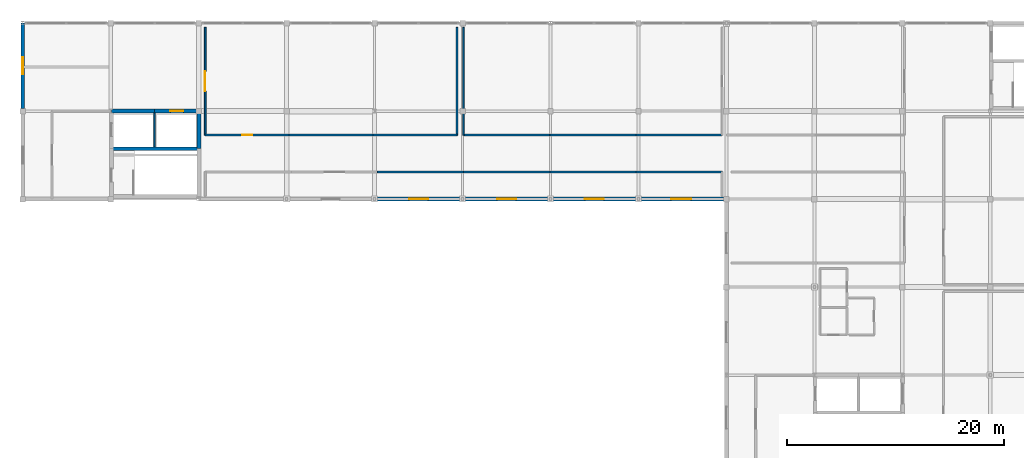
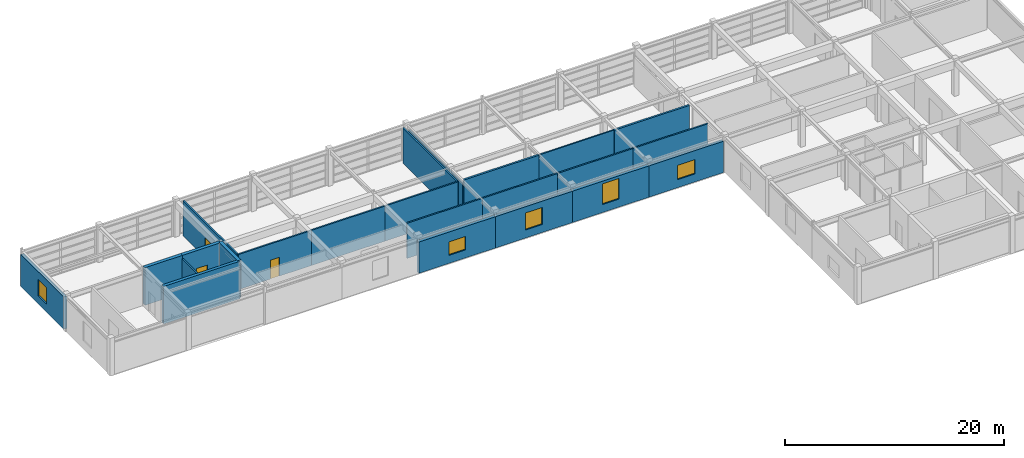
# One storey, part 16 of 19: 23 walls, 5 windows, 3 doors, 8 openings.
"""IFC4 building model written with IfcOpenShell, lengths in metres."""

from ifc_helpers import new_model, si_unit, direction, frame, frame_2d, origin, place, context, subcontext, project, spatial, rectangle, extrude, material, layer, layer_set, type_object, element, fill, save


model = new_model("IFC4")

# Units and contexts
model_context = context("Model", 3, precision=1e-05, world=origin(), true_north=direction((0.0, 1.0)))
body_context = subcontext(model_context, "Body", "Model", "MODEL_VIEW")
ifc_project = project(units=[si_unit("LENGTHUNIT", "METRE"), si_unit("AREAUNIT", "SQUARE_METRE"), si_unit("VOLUMEUNIT", "CUBIC_METRE"), si_unit("PLANEANGLEUNIT", "RADIAN"), si_unit("MASSUNIT", "GRAM", prefix="KILO")], contexts=[model_context])

# Site, building, storey
site_placement = place(None, origin())
site = spatial("IfcSite", under=ifc_project, at=site_placement, CompositionType="ELEMENT")
building_placement = place(site_placement, origin())
building = spatial("IfcBuilding", under=site, at=building_placement, Name="Parian Resonance Hall", CompositionType="ELEMENT")
storey_placement = place(building_placement, frame((0.0, 0.0, 23.39990234375)))
storey = spatial("IfcBuildingStorey", under=building, at=storey_placement, Name="L05", CompositionType="ELEMENT", Elevation=23.39990234375)

# Walls
ifc_material_1 = material(Name="Concrete C40/50", Category="concrete")
ifc_layer_1 = layer(ifc_material_1, 0.31005859375)
ifc_layer_set_1 = layer_set([ifc_layer_1], Name="Concrete C40/50")
wall_type_1 = type_object("IfcWallType", Name="CW310", PredefinedType="SHEAR", material=ifc_layer_set_1)
wall_1_placement = place(storey_placement, frame((56.77001953125, 77.550048828125, 0.0), z_axis=(0.0, 0.0, 1.0), x_axis=(1.0, 0.0, 0.0)))
element("IfcWall", 1, at=wall_1_placement, inside=storey, type_object=wall_type_1, Name="Core K1 stair-lift divider wall L05", PredefinedType="SHEAR", context=body_context, shape_type="SweptSolid", body=[
    extrude(rectangle(XDim=8.06005859375, YDim=0.31005859375, at=frame_2d((4.030029296875, 0.0))), origin(), (0.0, 0.0, 1.0), 4.2001953125),
])
ifc_material_2 = material(Name="Concrete C40/50", Category="concrete")
ifc_layer_2 = layer(ifc_material_2, 0.35009765625)
ifc_layer_set_2 = layer_set([ifc_layer_2], Name="Concrete C40/50")
wall_type_2 = type_object("IfcWallType", Name="CW350", PredefinedType="SHEAR", material=ifc_layer_set_2)
wall_2_placement = place(storey_placement, frame((56.77001953125, 81.0, 0.0), z_axis=(0.0, 0.0, 1.0), x_axis=(1.0, 0.0, 0.0)))
element("IfcWall", 2, at=wall_2_placement, inside=storey, type_object=wall_type_2, Name="Core K1 north-west shaft wall L05", PredefinedType="SHEAR", context=body_context, shape_type="SweptSolid", body=[
    extrude(rectangle(XDim=3.97998046875, YDim=0.35009765625, at=frame_2d((1.989990234375, 0.0))), origin(), (0.0, 0.0, 1.0), 4.2001953125),
])

# Wall, opening, door
wall_3_placement = place(storey_placement, frame((60.75, 81.0, 0.0), z_axis=(0.0, 0.0, 1.0), x_axis=(1.0, 0.0, 0.0)))
wall_3 = element("IfcWall", 3, at=wall_3_placement, inside=storey, type_object=wall_type_2, Name="Core K1 north-east shaft wall L05", PredefinedType="SHEAR", context=body_context, shape_type="SweptSolid", body=[
    extrude(rectangle(XDim=4.080078125, YDim=0.35009765625, at=frame_2d((2.0400390625, 0.0))), origin(), (0.0, 0.0, 1.0), 4.2001953125),
])
opening_1_placement = place(wall_3_placement, frame((1.43994140625, 0.0, 0.0)))
opening_1 = element("IfcOpeningElement", 4, at=opening_1_placement, cuts=wall_3, Name="Opening LD-01", PredefinedType="OPENING", context=body_context, shape_type="SweptSolid", body=[
    extrude(rectangle(XDim=1.199951171875, YDim=2.199951171875, at=frame_2d((0.60009765625, 1.10009765625))), frame((0.0, 0.18505859375, 0.0), z_axis=(0.0, -1.0, 0.0), x_axis=(1.0, 0.0, 0.0)), (0.0, 0.0, 1.0), 0.3701171875),
])
ifc_material_3 = material(Name="Stainless steel and bronze elevator cab", Category="steel")
door_type_1 = type_object("IfcDoorType", Name="DOOR-LIFT-1200x2200", OperationType="SLIDING_TO_LEFT", PredefinedType="DOOR", material=ifc_material_3)
door_1_placement = place(opening_1_placement, origin())
door_1 = element("IfcDoor", 5, at=door_1_placement, inside=storey, type_object=door_type_1, Name="Lift LF-03 sliding landing door L05", OperationType="SLIDING_TO_LEFT", OverallHeight=2.199951171875, OverallWidth=1.199951171875, PredefinedType="DOOR", context=body_context, shape_type="SweptSolid", body=[
    extrude(rectangle(XDim=1.199951171875, YDim=2.199951171875, at=frame_2d((0.60009765625, 1.10009765625))), frame((0.0, 0.02490234375, 0.0), z_axis=(0.0, -1.0, 0.0), x_axis=(1.0, 0.0, 0.0)), (0.0, 0.0, 1.0), 0.050048828125),
])
fill(opening_1, door_1)

# Wall
wall_4_placement = place(storey_placement, frame((64.830078125, 81.0, 0.0), z_axis=(0.0, 0.0, 1.0), x_axis=(0.0, -1.0, 0.0)))
element("IfcWall", 6, at=wall_4_placement, inside=storey, type_object=wall_type_2, Name="Core K1 east shaft wall L05", PredefinedType="SHEAR", context=body_context, shape_type="SweptSolid", body=[
    extrude(rectangle(XDim=3.449951171875, YDim=0.35009765625, at=frame_2d((1.72509765625, 0.0))), origin(), (0.0, 0.0, 1.0), 4.2001953125),
])

# Wall, opening, window
ifc_material_4 = material(Name="Concrete C35/45 with Carcar coral-limestone ashlar", Category="masonry")
ifc_layer_3 = layer(ifc_material_4, 0.340087890625)
ifc_layer_set_3 = layer_set([ifc_layer_3], Name="Concrete C35/45 with Carcar coral-limestone ashlar")
wall_type_3 = type_object("IfcWallType", Name="EW-STONE-340", PredefinedType="SOLIDWALL", material=ifc_layer_set_3)
wall_5_placement = place(storey_placement, frame((48.60009765625, 89.10009765625, 0.0), z_axis=(0.0, 0.0, 1.0), x_axis=(0.0, -1.0, 0.0)))
wall_5 = element("IfcWall", 7, at=wall_5_placement, inside=storey, type_object=wall_type_3, Name="Perimeter closure wall L05", PredefinedType="SOLIDWALL", context=body_context, shape_type="SweptSolid", body=[
    extrude(rectangle(XDim=7.85009765625, YDim=0.340087890625, at=frame_2d((3.925048828125, 0.0))), origin(), (0.0, 0.0, 1.0), 3.607177734375),
])
opening_2_placement = place(wall_5_placement, frame((3.14990234375, 0.0, 0.89990234375)))
opening_2 = element("IfcOpeningElement", 8, at=opening_2_placement, cuts=wall_5, Name="Opening WN-25", PredefinedType="OPENING", context=body_context, shape_type="SweptSolid", body=[
    extrude(rectangle(XDim=1.550048828125, YDim=1.85009765625, at=frame_2d((0.77490234375, 0.925048828125))), frame((0.0, 0.179931640625, 0.0), z_axis=(0.0, -1.0, 0.0), x_axis=(1.0, 0.0, 0.0)), (0.0, 0.0, 1.0), 0.360107421875),
])
ifc_material_5 = material(Name="Acoustic laminated double glazing", Category="glass")
window_type_1 = type_object("IfcWindowType", Name="WIN-1550x1850", PartitioningType="SINGLE_PANEL", PredefinedType="WINDOW", material=ifc_material_5)
window_1_placement = place(opening_2_placement, origin())
window_1 = element("IfcWindow", 9, at=window_1_placement, inside=storey, type_object=window_type_1, Name="Acoustic window L05-0131", OverallHeight=1.85009765625, OverallWidth=1.550048828125, PartitioningType="SINGLE_PANEL", PredefinedType="WINDOW", context=body_context, shape_type="SweptSolid", body=[
    extrude(rectangle(XDim=1.550048828125, YDim=1.85009765625, at=frame_2d((0.77490234375, 0.925048828125))), frame((0.0, 0.030029296875, 0.0), z_axis=(0.0, -1.0, 0.0), x_axis=(1.0, 0.0, 0.0)), (0.0, 0.0, 1.0), 0.06005859375),
])
fill(opening_2, window_1)

wall_6_placement = place(storey_placement, frame((81.0, 72.89990234375, 0.0), z_axis=(0.0, 0.0, 1.0), x_axis=(1.0, 0.0, 0.0)))
wall_6 = element("IfcWall", 10, at=wall_6_placement, inside=storey, type_object=wall_type_3, Name="Perimeter closure wall L05", PredefinedType="SOLIDWALL", context=body_context, shape_type="SweptSolid", body=[
    extrude(rectangle(XDim=8.10009765625, YDim=0.340087890625, at=frame_2d((4.050048828125, 0.0))), origin(), (0.0, 0.0, 1.0), 3.4951171875),
])
opening_3_placement = place(wall_6_placement, frame((3.175048828125, 0.0, 0.89990234375)))
opening_3 = element("IfcOpeningElement", 11, at=opening_3_placement, cuts=wall_6, Name="Opening WN-30", PredefinedType="OPENING", context=body_context, shape_type="SweptSolid", body=[
    extrude(rectangle(XDim=1.75, YDim=1.5, at=frame_2d((0.875, 0.75))), frame((0.0, 0.179931640625, 0.0), z_axis=(0.0, -1.0, 0.0), x_axis=(1.0, 0.0, 0.0)), (0.0, 0.0, 1.0), 0.360107421875),
])
ifc_material_6 = material(Name="Acoustic laminated double glazing", Category="glass")
window_type_2 = type_object("IfcWindowType", Name="WIN-1750x1500", PartitioningType="SINGLE_PANEL", PredefinedType="WINDOW", material=ifc_material_6)
window_2_placement = place(opening_3_placement, origin())
window_2 = element("IfcWindow", 12, at=window_2_placement, inside=storey, type_object=window_type_2, Name="Acoustic window L05-0134", OverallHeight=1.5, OverallWidth=1.75, PartitioningType="SINGLE_PANEL", PredefinedType="WINDOW", context=body_context, shape_type="SweptSolid", body=[
    extrude(rectangle(XDim=1.75, YDim=1.5, at=frame_2d((0.875, 0.75))), frame((0.0, 0.030029296875, 0.0), z_axis=(0.0, -1.0, 0.0), x_axis=(1.0, 0.0, 0.0)), (0.0, 0.0, 1.0), 0.06005859375),
])
fill(opening_3, window_2)

wall_7_placement = place(storey_placement, frame((89.10009765625, 72.89990234375, 0.0), z_axis=(0.0, 0.0, 1.0), x_axis=(1.0, 0.0, 0.0)))
wall_7 = element("IfcWall", 13, at=wall_7_placement, inside=storey, type_object=wall_type_3, Name="Perimeter closure wall L05", PredefinedType="SOLIDWALL", context=body_context, shape_type="SweptSolid", body=[
    extrude(rectangle(XDim=8.099853515625, YDim=0.340087890625, at=frame_2d((4.0498046875, 0.0))), origin(), (0.0, 0.0, 1.0), 3.4951171875),
])
opening_4_placement = place(wall_7_placement, frame((3.175048828125, 0.0, 0.89990234375)))
opening_4 = element("IfcOpeningElement", 14, at=opening_4_placement, cuts=wall_7, Name="Opening WN-31", PredefinedType="OPENING", context=body_context, shape_type="SweptSolid", body=[
    extrude(rectangle(XDim=1.75, YDim=1.89990234375, at=frame_2d((0.875, 0.949951171875))), frame((0.0, 0.179931640625, 0.0), z_axis=(0.0, -1.0, 0.0), x_axis=(1.0, 0.0, 0.0)), (0.0, 0.0, 1.0), 0.360107421875),
])
ifc_material_7 = material(Name="Acoustic laminated double glazing", Category="glass")
window_type_3 = type_object("IfcWindowType", Name="WIN-1750x1900", PartitioningType="SINGLE_PANEL", PredefinedType="WINDOW", material=ifc_material_7)
window_3_placement = place(opening_4_placement, origin())
window_3 = element("IfcWindow", 15, at=window_3_placement, inside=storey, type_object=window_type_3, Name="Acoustic window L05-0135", OverallHeight=1.89990234375, OverallWidth=1.75, PartitioningType="SINGLE_PANEL", PredefinedType="WINDOW", context=body_context, shape_type="SweptSolid", body=[
    extrude(rectangle(XDim=1.75, YDim=1.89990234375, at=frame_2d((0.875, 0.949951171875))), frame((0.0, 0.030029296875, 0.0), z_axis=(0.0, -1.0, 0.0), x_axis=(1.0, 0.0, 0.0)), (0.0, 0.0, 1.0), 0.06005859375),
])
fill(opening_4, window_3)

wall_8_placement = place(storey_placement, frame((97.199951171875, 72.89990234375, 0.0), z_axis=(0.0, 0.0, 1.0), x_axis=(1.0, 0.0, 0.0)))
wall_8 = element("IfcWall", 16, at=wall_8_placement, inside=storey, type_object=wall_type_3, Name="Perimeter closure wall L05", PredefinedType="SOLIDWALL", context=body_context, shape_type="SweptSolid", body=[
    extrude(rectangle(XDim=8.10009765625, YDim=0.340087890625, at=frame_2d((4.050048828125, 0.0))), origin(), (0.0, 0.0, 1.0), 3.4951171875),
])
opening_5_placement = place(wall_8_placement, frame((3.175048828125, 0.0, 0.89990234375)))
opening_5 = element("IfcOpeningElement", 17, at=opening_5_placement, cuts=wall_8, Name="Opening WN-32", PredefinedType="OPENING", context=body_context, shape_type="SweptSolid", body=[
    extrude(rectangle(XDim=1.75, YDim=2.300048828125, at=frame_2d((0.875, 1.14990234375))), frame((0.0, 0.179931640625, 0.0), z_axis=(0.0, -1.0, 0.0), x_axis=(1.0, 0.0, 0.0)), (0.0, 0.0, 1.0), 0.360107421875),
])
ifc_material_8 = material(Name="Acoustic laminated double glazing", Category="glass")
window_type_4 = type_object("IfcWindowType", Name="WIN-1750x2300", PartitioningType="SINGLE_PANEL", PredefinedType="WINDOW", material=ifc_material_8)
window_4_placement = place(opening_5_placement, origin())
window_4 = element("IfcWindow", 18, at=window_4_placement, inside=storey, type_object=window_type_4, Name="Acoustic window L05-0136", OverallHeight=2.300048828125, OverallWidth=1.75, PartitioningType="SINGLE_PANEL", PredefinedType="WINDOW", context=body_context, shape_type="SweptSolid", body=[
    extrude(rectangle(XDim=1.75, YDim=2.300048828125, at=frame_2d((0.875, 1.14990234375))), frame((0.0, 0.030029296875, 0.0), z_axis=(0.0, -1.0, 0.0), x_axis=(1.0, 0.0, 0.0)), (0.0, 0.0, 1.0), 0.06005859375),
])
fill(opening_5, window_4)

wall_9_placement = place(storey_placement, frame((105.300048828125, 72.89990234375, 0.0), z_axis=(0.0, 0.0, 1.0), x_axis=(1.0, 0.0, 0.0)))
wall_9 = element("IfcWall", 19, at=wall_9_placement, inside=storey, type_object=wall_type_3, Name="Perimeter closure wall L05", PredefinedType="SOLIDWALL", context=body_context, shape_type="SweptSolid", body=[
    extrude(rectangle(XDim=7.849853515625, YDim=0.340087890625, at=frame_2d((3.9248046875, 0.0))), origin(), (0.0, 0.0, 1.0), 3.4951171875),
])
opening_6_placement = place(wall_9_placement, frame((3.0, 0.0, 0.89990234375)))
opening_6 = element("IfcOpeningElement", 20, at=opening_6_placement, cuts=wall_9, Name="Opening WN-33", PredefinedType="OPENING", context=body_context, shape_type="SweptSolid", body=[
    extrude(rectangle(XDim=1.85009765625, YDim=1.60009765625, at=frame_2d((0.925048828125, 0.800048828125))), frame((0.0, 0.179931640625, 0.0), z_axis=(0.0, -1.0, 0.0), x_axis=(1.0, 0.0, 0.0)), (0.0, 0.0, 1.0), 0.360107421875),
])
ifc_material_9 = material(Name="Acoustic laminated double glazing", Category="glass")
window_type_5 = type_object("IfcWindowType", Name="WIN-1850x1600", PartitioningType="SINGLE_PANEL", PredefinedType="WINDOW", material=ifc_material_9)
window_5_placement = place(opening_6_placement, origin())
window_5 = element("IfcWindow", 21, at=window_5_placement, inside=storey, type_object=window_type_5, Name="Acoustic window L05-0137", OverallHeight=1.60009765625, OverallWidth=1.85009765625, PartitioningType="SINGLE_PANEL", PredefinedType="WINDOW", context=body_context, shape_type="SweptSolid", body=[
    extrude(rectangle(XDim=1.85009765625, YDim=1.60009765625, at=frame_2d((0.925048828125, 0.800048828125))), frame((0.0, 0.030029296875, 0.0), z_axis=(0.0, -1.0, 0.0), x_axis=(1.0, 0.0, 0.0)), (0.0, 0.0, 1.0), 0.06005859375),
])
fill(opening_6, window_5)

# Walls
ifc_material_10 = material(Name="Concrete C35/45 fire barrier", Category="concrete")
ifc_layer_4 = layer(ifc_material_10, 0.199951171875)
ifc_layer_set_4 = layer_set([ifc_layer_4], Name="Concrete C35/45 fire barrier")
wall_type_4 = type_object("IfcWallType", Name="FW200", PredefinedType="PARTITIONING", material=ifc_layer_set_4)
for number, where, z_axis, x_axis, name in (
    (22, (113.0, 78.800048828125, 0.0), (0.0, 0.0, 1.0), (-1.0, 0.0, 0.0), "Interior acoustic partition IW-L05-0296"),
    (23, (97.13330078125, 78.800048828125, 0.0), (0.0, 0.0, 1.0), (-1.0, 0.0, 0.0), "Interior acoustic partition IW-L05-0298"),
):
    element("IfcWall", number, at=place(storey_placement, frame(where, z_axis=z_axis, x_axis=x_axis)), inside=storey, type_object=wall_type_4, Name=name, PredefinedType="PARTITIONING", context=body_context, shape_type="SweptSolid", body=[
        extrude(rectangle(XDim=7.933349609375, YDim=0.199951171875, at=frame_2d((3.966796875, 0.0))), origin(), (0.0, 0.0, 1.0), 3.920166015625),
    ])
ifc_material_11 = material(Name="Concrete C35/45 acoustic masonry partition", Category="masonry")
ifc_layer_5 = layer(ifc_material_11, 0.139892578125)
ifc_layer_set_5 = layer_set([ifc_layer_5], Name="Concrete C35/45 acoustic masonry partition")
wall_type_5 = type_object("IfcWallType", Name="PW140", PredefinedType="PARTITIONING", material=ifc_layer_set_5)
wall_10_placement = place(storey_placement, frame((105.066650390625, 78.800048828125, 0.0), z_axis=(0.0, 0.0, 1.0), x_axis=(-1.0, 0.0, 0.0)))
element("IfcWall", 24, at=wall_10_placement, inside=storey, type_object=wall_type_5, Name="Interior acoustic partition IW-L05-0297", PredefinedType="PARTITIONING", context=body_context, shape_type="SweptSolid", body=[
    extrude(rectangle(XDim=7.933349609375, YDim=0.139892578125, at=frame_2d((3.966796875, 0.0))), origin(), (0.0, 0.0, 1.0), 3.920166015625),
])
wall_11_placement = place(storey_placement, frame((89.199951171875, 78.800048828125, 0.0), z_axis=(0.0, 0.0, 1.0), x_axis=(0.0, 1.0, 0.0)))
element("IfcWall", 25, at=wall_11_placement, inside=storey, type_object=wall_type_5, Name="Interior acoustic partition IW-L05-0299", PredefinedType="PARTITIONING", context=body_context, shape_type="SweptSolid", body=[
    extrude(rectangle(XDim=9.89990234375, YDim=0.139892578125, at=frame_2d((4.949951171875, 0.0))), origin(), (0.0, 0.0, 1.0), 3.4951171875),
])
ifc_material_12 = material(Name="Concrete C35/45 acoustic plumbing chase wall", Category="concrete")
ifc_layer_6 = layer(ifc_material_12, 0.14990234375)
ifc_layer_set_6 = layer_set([ifc_layer_6], Name="Concrete C35/45 acoustic plumbing chase wall")
wall_type_6 = type_object("IfcWallType", Name="PW150", PredefinedType="PLUMBINGWALL", material=ifc_layer_set_6)
wall_12_placement = place(storey_placement, frame((60.75, 77.7099609375, 0.0), z_axis=(0.0, 0.0, 1.0), x_axis=(0.0, 1.0, 0.0)))
element("IfcWall", 26, at=wall_12_placement, inside=storey, type_object=wall_type_6, Name="Core K1 shaft plumbing/riser divider L05", PredefinedType="PLUMBINGWALL", context=body_context, shape_type="SweptSolid", body=[
    extrude(rectangle(XDim=3.130126953125, YDim=0.14990234375, at=frame_2d((1.56494140625, 0.0))), origin(), (0.0, 0.0, 1.0), 3.85009765625),
])
ifc_material_13 = material(Name="Concrete C35/45 acoustic masonry partition", Category="masonry")
ifc_layer_7 = layer(ifc_material_13, 0.159912109375)
ifc_layer_set_7 = layer_set([ifc_layer_7], Name="Concrete C35/45 acoustic masonry partition")
wall_type_7 = type_object("IfcWallType", Name="PW160", PredefinedType="PARTITIONING", material=ifc_layer_set_7)
wall_13_placement = place(storey_placement, frame((88.60009765625, 88.699951171875, 0.0), z_axis=(0.0, 0.0, 1.0), x_axis=(0.0, -1.0, 0.0)))
element("IfcWall", 27, at=wall_13_placement, inside=storey, type_object=wall_type_7, Name="Interior acoustic partition IW-L05-0290", PredefinedType="PARTITIONING", context=body_context, shape_type="SweptSolid", body=[
    extrude(rectangle(XDim=9.89990234375, YDim=0.159912109375, at=frame_2d((4.949951171875, 0.0))), origin(), (0.0, 0.0, 1.0), 3.920166015625),
])
for number, where, z_axis, x_axis, name in (
    (28, (88.60009765625, 78.800048828125, 0.0), (0.0, 0.0, 1.0), (-1.0, 0.0, 0.0), "Interior acoustic partition IW-L05-0291"),
    (29, (80.86669921875, 78.800048828125, 0.0), (0.0, 0.0, 1.0), (-1.0, 0.0, 0.0), "Interior acoustic partition IW-L05-0292"),
):
    element("IfcWall", number, at=place(storey_placement, frame(where, z_axis=z_axis, x_axis=x_axis)), inside=storey, type_object=wall_type_7, Name=name, PredefinedType="PARTITIONING", context=body_context, shape_type="SweptSolid", body=[
        extrude(rectangle(XDim=7.7333984375, YDim=0.159912109375, at=frame_2d((3.86669921875, 0.0))), origin(), (0.0, 0.0, 1.0), 3.920166015625),
    ])

# Wall, opening, door
wall_14_placement = place(storey_placement, frame((73.13330078125, 78.800048828125, 0.0), z_axis=(0.0, 0.0, 1.0), x_axis=(-1.0, 0.0, 0.0)))
wall_14 = element("IfcWall", 30, at=wall_14_placement, inside=storey, type_object=wall_type_7, Name="Interior acoustic partition IW-L05-0293", PredefinedType="PARTITIONING", context=body_context, shape_type="SweptSolid", body=[
    extrude(rectangle(XDim=7.7333984375, YDim=0.159912109375, at=frame_2d((3.86669921875, 0.0))), origin(), (0.0, 0.0, 1.0), 3.920166015625),
])
opening_7_placement = place(wall_14_placement, frame((3.406494140625, 0.0, 0.0)))
opening_7 = element("IfcOpeningElement", 31, at=opening_7_placement, cuts=wall_14, Name="Opening ID-20", PredefinedType="OPENING", context=body_context, shape_type="SweptSolid", body=[
    extrude(rectangle(XDim=0.919921875, YDim=2.10009765625, at=frame_2d((0.4599609375, 1.050048828125))), frame((0.0, 0.08984375, 0.0), z_axis=(0.0, -1.0, 0.0), x_axis=(1.0, 0.0, 0.0)), (0.0, 0.0, 1.0), 0.179931640625),
])
ifc_material_14 = material(Name="Philippine narra acoustic timber door", Category="wood")
door_type_2 = type_object("IfcDoorType", Name="ID-OFF-0920x2100", OperationType="NOTDEFINED", PredefinedType="DOOR", material=ifc_material_14)
door_2_placement = place(opening_7_placement, origin())
door_2 = element("IfcDoor", 32, at=door_2_placement, inside=storey, type_object=door_type_2, Name="Broadcast Control Master Suite corridor door", OperationType="SINGLE_SWING_RIGHT", OverallHeight=2.10009765625, OverallWidth=0.919921875, PredefinedType="DOOR", context=body_context, shape_type="SweptSolid", body=[
    extrude(rectangle(XDim=0.919921875, YDim=2.10009765625, at=frame_2d((0.4599609375, 1.050048828125))), frame((0.0, 0.02490234375, 0.0), z_axis=(0.0, -1.0, 0.0), x_axis=(1.0, 0.0, 0.0)), (0.0, 0.0, 1.0), 0.050048828125),
])
fill(opening_7, door_2)

wall_15_placement = place(storey_placement, frame((65.39990234375, 78.800048828125, 0.0), z_axis=(0.0, 0.0, 1.0), x_axis=(0.0, 1.0, 0.0)))
wall_15 = element("IfcWall", 33, at=wall_15_placement, inside=storey, type_object=wall_type_7, Name="Interior acoustic partition IW-L05-0294", PredefinedType="PARTITIONING", context=body_context, shape_type="SweptSolid", body=[
    extrude(rectangle(XDim=9.89990234375, YDim=0.159912109375, at=frame_2d((4.949951171875, 0.0))), origin(), (0.0, 0.0, 1.0), 3.920166015625),
])
opening_8_placement = place(wall_15_placement, frame((4.050048828125, 0.0, 0.0)))
opening_8 = element("IfcOpeningElement", 34, at=opening_8_placement, cuts=wall_15, Name="Opening FD-02", PredefinedType="OPENING", context=body_context, shape_type="SweptSolid", body=[
    extrude(rectangle(XDim=1.800048828125, YDim=2.25, at=frame_2d((0.89990234375, 1.125))), frame((0.0, 0.08984375, 0.0), z_axis=(0.0, -1.0, 0.0), x_axis=(1.0, 0.0, 0.0)), (0.0, 0.0, 1.0), 0.179931640625),
])
ifc_material_15 = material(Name="Fire-rated acoustic steel and narra timber door", Category="steel")
door_type_3 = type_object("IfcDoorType", Name="FD-02", OperationType="NOTDEFINED", PredefinedType="DOOR", material=ifc_material_15)
door_3_placement = place(opening_8_placement, origin())
door_3 = element("IfcDoor", 35, at=door_3_placement, inside=storey, type_object=door_type_3, Name="Broadcast Control Master Suite door", OperationType="DOUBLE_DOOR_SINGLE_SWING", OverallHeight=2.25, OverallWidth=1.800048828125, PredefinedType="DOOR", context=body_context, shape_type="SweptSolid", body=[
    extrude(rectangle(XDim=1.800048828125, YDim=2.25, at=frame_2d((0.89990234375, 1.125))), frame((0.0, 0.02490234375, 0.0), z_axis=(0.0, -1.0, 0.0), x_axis=(1.0, 0.0, 0.0)), (0.0, 0.0, 1.0), 0.050048828125),
])
fill(opening_8, door_3)

# Walls
for number, where, z_axis, x_axis, name in (
    (36, (81.2666015625, 75.39990234375, 0.0), (0.0, 0.0, 1.0), (1.0, 0.0, 0.0), "Interior acoustic partition IW-L05-0319"),
    (37, (89.199951171875, 75.39990234375, 0.0), (0.0, 0.0, 1.0), (1.0, 0.0, 0.0), "Interior acoustic partition IW-L05-0320"),
    (38, (97.13330078125, 75.39990234375, 0.0), (0.0, 0.0, 1.0), (1.0, 0.0, 0.0), "Interior acoustic partition IW-L05-0321"),
    (39, (105.066650390625, 75.39990234375, 0.0), (0.0, 0.0, 1.0), (1.0, 0.0, 0.0), "Interior acoustic partition IW-L05-0322"),
):
    element("IfcWall", number, at=place(storey_placement, frame(where, z_axis=z_axis, x_axis=x_axis)), inside=storey, type_object=wall_type_7, Name=name, PredefinedType="PARTITIONING", context=body_context, shape_type="SweptSolid", body=[
        extrude(rectangle(XDim=7.933349609375, YDim=0.159912109375, at=frame_2d((3.966796875, 0.0))), origin(), (0.0, 0.0, 1.0), 3.920166015625),
    ])

save(model, "model.ifc")
